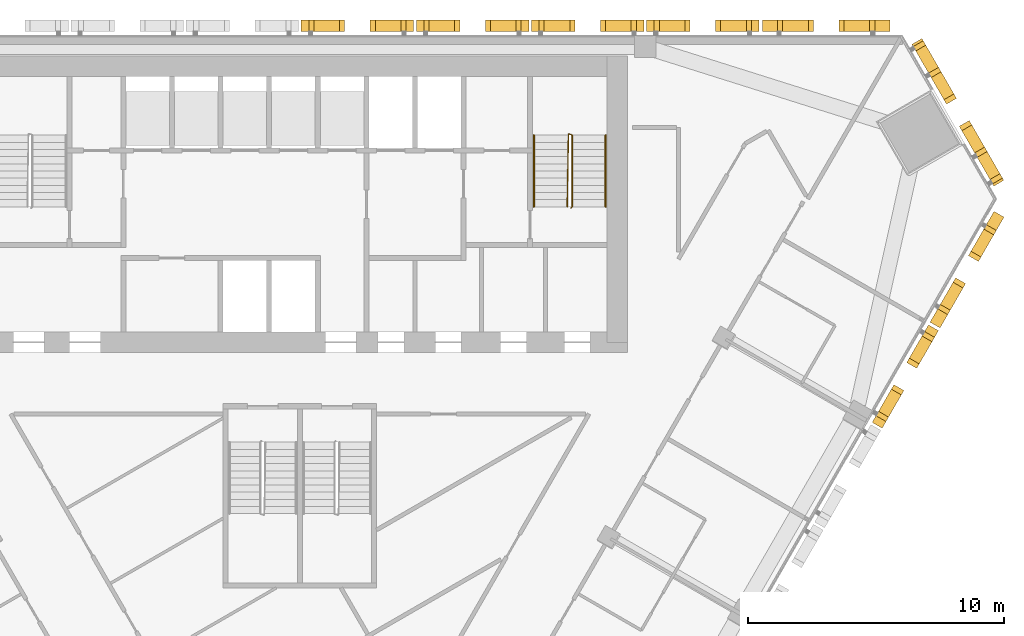
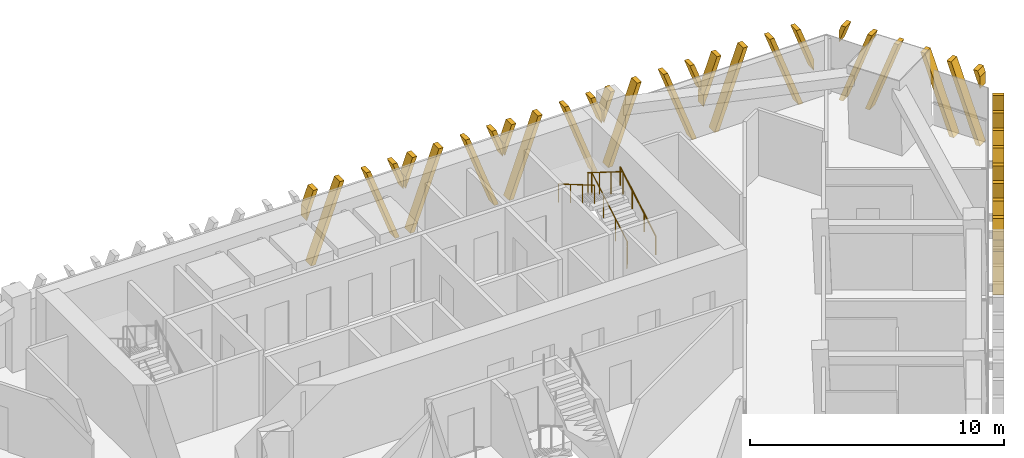
# One storey, part 15 of 16: 8 shading devices, 3 railings.
"""IFC4 building model written with IfcOpenShell, lengths in metres."""

from ifc_helpers import new_model, si_unit, direction, frame, origin, origin_2d, place, context, subcontext, project, spatial, polyline, circle, outline, extrude, source, transform, mapped, material, type_object, element, save


model = new_model("IFC4")

# Units and contexts
model_context = context("Model", 3, precision=1e-05, world=origin(), true_north=direction((0.0, 1.0)))
body_context = subcontext(model_context, "Body", "Model", "MODEL_VIEW")
ifc_project = project(units=[si_unit("LENGTHUNIT", "METRE"), si_unit("AREAUNIT", "SQUARE_METRE"), si_unit("VOLUMEUNIT", "CUBIC_METRE"), si_unit("PLANEANGLEUNIT", "RADIAN"), si_unit("MASSUNIT", "GRAM", prefix="KILO")], contexts=[model_context])

# Site, building, storey
site_placement = place(None, origin())
site = spatial("IfcSite", under=ifc_project, at=site_placement, CompositionType="ELEMENT")
building_placement = place(site_placement, origin())
building = spatial("IfcBuilding", under=site, at=building_placement, Name="Altiplano Prism Tower", CompositionType="ELEMENT")
storey_placement = place(building_placement, frame((0.0, 0.0, 149.39990234375)))
storey = spatial("IfcBuildingStorey", under=building, at=storey_placement, Name="L38", CompositionType="ELEMENT", Elevation=149.39990234375)

# Railings
ifc_material_1 = material(Name="Steel S355", Category="steel")
railing_type_1 = type_object("IfcRailingType", Name="Stair guard 1100", PredefinedType="GUARDRAIL", material=ifc_material_1)
railing_1_placement = place(storey_placement, frame((95.60009765625, 98.25, 0.0)))
element("IfcRailing", 1, at=railing_1_placement, inside=storey, type_object=railing_type_1, Name="L38 ST2 stair guard 1", PredefinedType="GUARDRAIL", context=body_context, shape_type="SweptSolid", body=[
    extrude(circle(Radius=0.02392578125, at=origin_2d()), frame((0.0, 0.0, 1.076171875), z_axis=(0.279194930351, 0.280563532951, 0.91833234444), x_axis=(-0.708833529934, 0.705375805398, 0.0)), (0.0, 0.0, 1.0), 0.178466796875),
    extrude(circle(Radius=0.02392578125, at=origin_2d()), frame((0.0498046875, 0.050048828125, 1.23974609375), z_axis=(0.0, 0.863393664356, 0.504530851732), x_axis=(-1.0, 0.0, 0.0)), (0.0, 0.0, 1.0), 3.2431640625),
    extrude(circle(Radius=0.02392578125, at=origin_2d()), frame((0.0498046875, 2.85009765625, 2.8759765625), z_axis=(-0.948991962702, 0.315300261223, 0.0), x_axis=(-0.315300261223, -0.948991962702, 0.0)), (0.0, 0.0, 1.0), 0.157958984375),
    extrude(circle(Radius=0.02392578125, at=origin_2d()), frame((-0.10009765625, 2.89990234375, 2.8759765625), z_axis=(-0.014846418356, -0.845376787675, 0.533964109957), x_axis=(0.999845825584, -0.017559187376, 0.0)), (0.0, 0.0, 1.0), 3.37109375),
    extrude(circle(Radius=0.02099609375, at=origin_2d()), origin(), (0.0, 0.0, 1.0), 1.052001953125),
    extrude(circle(Radius=0.02099609375, at=origin_2d()), frame((0.0498046875, 0.050048828125, 0.163818359375)), (0.0, 0.0, 1.0), 1.052001953125),
    extrude(circle(Radius=0.02099609375, at=origin_2d()), frame((0.0498046875, 0.9833984375, 0.709228515625)), (0.0, 0.0, 1.0), 1.052001953125),
    extrude(circle(Radius=0.02099609375, at=origin_2d()), frame((0.0498046875, 1.916748046875, 1.254638671875)), (0.0, 0.0, 1.0), 1.052001953125),
    extrude(circle(Radius=0.02099609375, at=origin_2d()), frame((0.0498046875, 2.85009765625, 1.800048828125)), (0.0, 0.0, 1.0), 1.052001953125),
    extrude(circle(Radius=0.02099609375, at=origin_2d()), frame((-0.10009765625, 2.89990234375, 1.800048828125)), (0.0, 0.0, 1.0), 1.052001953125),
    extrude(circle(Radius=0.02099609375, at=origin_2d()), frame((-0.11669921875, 1.949951171875, 2.400146484375)), (0.0, 0.0, 1.0), 1.052001953125),
    extrude(circle(Radius=0.02099609375, at=origin_2d()), frame((-0.133544921875, 1.0, 3.0)), (0.0, 0.0, 1.0), 1.052001953125),
    extrude(circle(Radius=0.02099609375, at=origin_2d()), frame((-0.150146484375, 0.050048828125, 3.60009765625)), (0.0, 0.0, 1.0), 1.052001953125),
])
railing_type_2 = type_object("IfcRailingType", Name="Stair handrail 900", PredefinedType="HANDRAIL", material=ifc_material_1)
railing_2_placement = place(storey_placement, frame((96.949951171875, 98.300048828125, 0.163818359375)))
element("IfcRailing", 2, at=railing_2_placement, inside=storey, type_object=railing_type_2, Name="L38 ST2 stair handrail 1", PredefinedType="HANDRAIL", context=body_context, shape_type="SweptSolid", body=[
    extrude(circle(Radius=0.02392578125, at=origin_2d()), frame((0.0, 0.0, 0.8759765625), z_axis=(0.0, 0.863393664356, 0.504530851732), x_axis=(-1.0, 0.0, 0.0)), (0.0, 0.0, 1.0), 3.2431640625),
    extrude(circle(Radius=0.02099609375, at=origin_2d()), origin(), (0.0, 0.0, 1.0), 0.851806640625),
    extrude(circle(Radius=0.02099609375, at=origin_2d()), frame((0.0, 0.933349609375, 0.54541015625)), (0.0, 0.0, 1.0), 0.851806640625),
    extrude(circle(Radius=0.02099609375, at=origin_2d()), frame((0.0, 1.86669921875, 1.0908203125)), (0.0, 0.0, 1.0), 0.851806640625),
    extrude(circle(Radius=0.02099609375, at=origin_2d()), frame((0.0, 2.800048828125, 1.63623046875)), (0.0, 0.0, 1.0), 0.851806640625),
])
railing_3_placement = place(storey_placement, frame((94.14990234375, 101.10009765625, 1.963623046875)))
element("IfcRailing", 3, at=railing_3_placement, inside=storey, type_object=railing_type_2, Name="L38 ST2 stair handrail 2", PredefinedType="HANDRAIL", context=body_context, shape_type="SweptSolid", body=[
    extrude(circle(Radius=0.02392578125, at=origin_2d()), frame((0.0, 0.0, 0.8759765625), z_axis=(0.0, -0.863360870873, 0.504586966384), x_axis=(1.0, 0.0, 0.0)), (0.0, 0.0, 1.0), 3.2431640625),
    extrude(circle(Radius=0.02099609375, at=origin_2d()), origin(), (0.0, 0.0, 1.0), 0.851806640625),
    extrude(circle(Radius=0.02099609375, at=origin_2d()), frame((0.0, -0.933349609375, 0.54541015625)), (0.0, 0.0, 1.0), 0.851806640625),
    extrude(circle(Radius=0.02099609375, at=origin_2d()), frame((0.0, -1.86669921875, 1.091064453125)), (0.0, 0.0, 1.0), 0.851806640625),
    extrude(circle(Radius=0.02099609375, at=origin_2d()), frame((0.0, -2.800048828125, 1.636474609375)), (0.0, 0.0, 1.0), 0.851806640625),
])

# Shading devices
ifc_material_2 = material(Name="Warm limestone cast stone", Category="masonry")
shading_device_type_1 = type_object("IfcShadingDeviceType", Name="Stone fin panel, standard unit", PredefinedType="USERDEFINED", material=ifc_material_2)
shared_shape_1 = source(origin(), body_context, "Body", "SweptSolid", [
    extrude(outline(polyline([(-2.199951171875, 2.226318359375), (-1.699951171875, 3.60009765625), (-1.89990234375, 3.60009765625), (-2.199951171875, 2.77587890625), (-2.199951171875, 2.226318359375)])), frame((0.0, -0.14990234375, 0.0), z_axis=(0.0, -1.0, 0.0), x_axis=(1.0, 0.0, 0.0)), (0.0, 0.0, 1.0), 0.4501953125),
    extrude(outline(polyline([(-2.01025390625, 0.0), (-1.810302734375, 0.0), (-0.5, 3.60009765625), (-0.699951171875, 3.60009765625), (-2.01025390625, 0.0)])), frame((0.0, -0.14990234375, 0.0), z_axis=(0.0, -1.0, 0.0), x_axis=(1.0, 0.0, 0.0)), (0.0, 0.0, 1.0), 0.4501953125),
    extrude(outline(polyline([(1.810302734375, 0.0), (2.01025390625, 0.0), (0.699951171875, 3.60009765625), (0.5, 3.60009765625), (1.810302734375, 0.0)])), frame((0.0, -0.14990234375, 0.0), z_axis=(0.0, -1.0, 0.0), x_axis=(1.0, 0.0, 0.0)), (0.0, 0.0, 1.0), 0.4501953125),
    extrude(outline(polyline([(2.199951171875, 2.77587890625), (1.89990234375, 3.60009765625), (1.699951171875, 3.60009765625), (2.199951171875, 2.226318359375), (2.199951171875, 2.77587890625)])), frame((0.0, -0.14990234375, 0.0), z_axis=(0.0, -1.0, 0.0), x_axis=(1.0, 0.0, 0.0)), (0.0, 0.0, 1.0), 0.4501953125),
])
shading_device_1_placement = place(storey_placement, origin())
element("IfcShadingDevice", 4, at=shading_device_1_placement, inside=storey, type_object=shading_device_type_1, Name="Fin L38 north face 2", ObjectType="FIN", PredefinedType="USERDEFINED", context=body_context, shape_type="MappedRepresentation", body=[
    mapped(shared_shape_1, transform((100.75, 105.0, -0.449951171875), x_axis=(-1.0, 0.0, 0.0), y_axis=(0.0, -1.0, 0.0), z_axis=(0.0, 0.0, 1.0))),
])
shading_device_2_placement = place(storey_placement, origin())
element("IfcShadingDevice", 5, at=shading_device_2_placement, inside=storey, type_object=shading_device_type_1, Name="Fin L38 north face 3", ObjectType="FIN", PredefinedType="USERDEFINED", context=body_context, shape_type="MappedRepresentation", body=[
    mapped(shared_shape_1, transform((96.25, 105.0, -0.449951171875), x_axis=(-1.0, 0.0, 0.0), y_axis=(0.0, -1.0, 0.0), z_axis=(0.0, 0.0, 1.0))),
])
shading_device_3_placement = place(storey_placement, origin())
element("IfcShadingDevice", 6, at=shading_device_3_placement, inside=storey, type_object=shading_device_type_1, Name="Fin L38 north face 4", ObjectType="FIN", PredefinedType="USERDEFINED", context=body_context, shape_type="MappedRepresentation", body=[
    mapped(shared_shape_1, transform((91.75, 105.0, -0.449951171875), x_axis=(-1.0, 0.0, 0.0), y_axis=(0.0, -1.0, 0.0), z_axis=(0.0, 0.0, 1.0))),
])
shading_device_4_placement = place(storey_placement, origin())
element("IfcShadingDevice", 7, at=shading_device_4_placement, inside=storey, type_object=shading_device_type_1, Name="Fin L38 north face 5", ObjectType="FIN", PredefinedType="USERDEFINED", context=body_context, shape_type="MappedRepresentation", body=[
    mapped(shared_shape_1, transform((87.25, 105.0, -0.449951171875), x_axis=(-1.0, 0.0, 0.0), y_axis=(0.0, -1.0, 0.0), z_axis=(0.0, 0.0, 1.0))),
])
shading_device_5_placement = place(storey_placement, origin())
element("IfcShadingDevice", 8, at=shading_device_5_placement, inside=storey, type_object=shading_device_type_1, Name="Fin L38 south-east face 9", ObjectType="FIN", PredefinedType="USERDEFINED", context=body_context, shape_type="MappedRepresentation", body=[
    mapped(shared_shape_1, transform((108.341796875, 91.8505859375, -0.449951171875), x_axis=(0.500000004206, 0.866025401356, 0.0), y_axis=(-0.866025401356, 0.500000004206, 0.0), z_axis=(0.0, 0.0, 1.0))),
])
shading_device_type_2 = type_object("IfcShadingDeviceType", Name="Stone fin panel, wide closing bay", PredefinedType="USERDEFINED", material=ifc_material_2)
shared_shape_2 = source(origin(), body_context, "Body", "SweptSolid", [
    extrude(outline(polyline([(-2.5, 1.402099609375), (-1.699951171875, 3.60009765625), (-1.89990234375, 3.60009765625), (-2.5, 1.951416015625), (-2.5, 1.402099609375)])), frame((0.0, -0.14990234375, 0.0), z_axis=(0.0, -1.0, 0.0), x_axis=(1.0, 0.0, 0.0)), (0.0, 0.0, 1.0), 0.4501953125),
    extrude(outline(polyline([(-2.01025390625, 0.0), (-1.810302734375, 0.0), (-0.5, 3.60009765625), (-0.699951171875, 3.60009765625), (-2.01025390625, 0.0)])), frame((0.0, -0.14990234375, 0.0), z_axis=(0.0, -1.0, 0.0), x_axis=(1.0, 0.0, 0.0)), (0.0, 0.0, 1.0), 0.4501953125),
    extrude(outline(polyline([(1.810302734375, 0.0), (2.01025390625, 0.0), (0.699951171875, 3.60009765625), (0.5, 3.60009765625), (1.810302734375, 0.0)])), frame((0.0, -0.14990234375, 0.0), z_axis=(0.0, -1.0, 0.0), x_axis=(1.0, 0.0, 0.0)), (0.0, 0.0, 1.0), 0.4501953125),
    extrude(outline(polyline([(2.5, 1.951416015625), (1.89990234375, 3.60009765625), (1.699951171875, 3.60009765625), (2.5, 1.402099609375), (2.5, 1.951416015625)])), frame((0.0, -0.14990234375, 0.0), z_axis=(0.0, -1.0, 0.0), x_axis=(1.0, 0.0, 0.0)), (0.0, 0.0, 1.0), 0.4501953125),
])
shading_device_6_placement = place(storey_placement, origin())
element("IfcShadingDevice", 9, at=shading_device_6_placement, inside=storey, type_object=shading_device_type_2, Name="Fin L38 north face 1", ObjectType="FIN", PredefinedType="USERDEFINED", context=body_context, shape_type="MappedRepresentation", body=[
    mapped(shared_shape_2, transform((105.575439453125, 105.0, -0.449951171875), x_axis=(-1.0, 0.0, 0.0), y_axis=(0.0, -1.0, 0.0), z_axis=(0.0, 0.0, 1.0))),
])
shading_device_7_placement = place(storey_placement, origin())
element("IfcShadingDevice", 10, at=shading_device_7_placement, inside=storey, type_object=shading_device_type_2, Name="Fin L38 south-east face 10", ObjectType="FIN", PredefinedType="USERDEFINED", context=body_context, shape_type="MappedRepresentation", body=[
    mapped(shared_shape_2, transform((110.754638671875, 96.029296875, -0.449951171875), x_axis=(0.500000004206, 0.866025401356, 0.0), y_axis=(-0.866025401356, 0.500000004206, 0.0), z_axis=(0.0, 0.0, 1.0))),
])
shading_device_type_3 = type_object("IfcShadingDeviceType", Name="Stone fin panel, chamfer unit", PredefinedType="USERDEFINED", material=ifc_material_2)
shared_shape_3 = source(origin(), body_context, "Body", "SweptSolid", [
    extrude(outline(polyline([(-3.199951171875, 0.0), (-3.01025390625, 0.0), (-1.699951171875, 3.60009765625), (-1.89990234375, 3.60009765625), (-3.199951171875, 0.0283203125), (-3.199951171875, 0.0)])), frame((0.0, -0.14990234375, 0.0), z_axis=(0.0, -1.0, 0.0), x_axis=(1.0, 0.0, 0.0)), (0.0, 0.0, 1.0), 0.4501953125),
    extrude(outline(polyline([(-3.199951171875, 2.77587890625), (-2.89990234375, 3.60009765625), (-3.10009765625, 3.60009765625), (-3.199951171875, 3.3251953125), (-3.199951171875, 2.77587890625)])), frame((0.0, -0.14990234375, 0.0), z_axis=(0.0, -1.0, 0.0), x_axis=(1.0, 0.0, 0.0)), (0.0, 0.0, 1.0), 0.4501953125),
    extrude(outline(polyline([(-2.01025390625, 0.0), (-1.810302734375, 0.0), (-0.5, 3.60009765625), (-0.699951171875, 3.60009765625), (-2.01025390625, 0.0)])), frame((0.0, -0.14990234375, 0.0), z_axis=(0.0, -1.0, 0.0), x_axis=(1.0, 0.0, 0.0)), (0.0, 0.0, 1.0), 0.4501953125),
    extrude(outline(polyline([(1.810302734375, 0.0), (2.01025390625, 0.0), (0.699951171875, 3.60009765625), (0.5, 3.60009765625), (1.810302734375, 0.0)])), frame((0.0, -0.14990234375, 0.0), z_axis=(0.0, -1.0, 0.0), x_axis=(1.0, 0.0, 0.0)), (0.0, 0.0, 1.0), 0.4501953125),
    extrude(outline(polyline([(3.01025390625, 0.0), (3.199951171875, 0.0), (3.199951171875, 0.0283203125), (1.89990234375, 3.60009765625), (1.699951171875, 3.60009765625), (3.01025390625, 0.0)])), frame((0.0, -0.14990234375, 0.0), z_axis=(0.0, -1.0, 0.0), x_axis=(1.0, 0.0, 0.0)), (0.0, 0.0, 1.0), 0.4501953125),
    extrude(outline(polyline([(3.199951171875, 3.3251953125), (3.10009765625, 3.60009765625), (2.89990234375, 3.60009765625), (3.199951171875, 2.77587890625), (3.199951171875, 3.3251953125)])), frame((0.0, -0.14990234375, 0.0), z_axis=(0.0, -1.0, 0.0), x_axis=(1.0, 0.0, 0.0)), (0.0, 0.0, 1.0), 0.4501953125),
])
shading_device_8_placement = place(storey_placement, origin())
element("IfcShadingDevice", 11, at=shading_device_8_placement, inside=storey, type_object=shading_device_type_3, Name="Fin L38 north-east chamfer 1", ObjectType="FIN", PredefinedType="USERDEFINED", context=body_context, shape_type="MappedRepresentation", body=[
    mapped(shared_shape_3, transform((110.396484375, 101.802978515625, -0.449951171875), x_axis=(-0.500000008072, 0.866025399124, 0.0), y_axis=(-0.866025399124, -0.500000008072, 0.0), z_axis=(0.0, 0.0, 1.0))),
])

save(model, "model.ifc")
